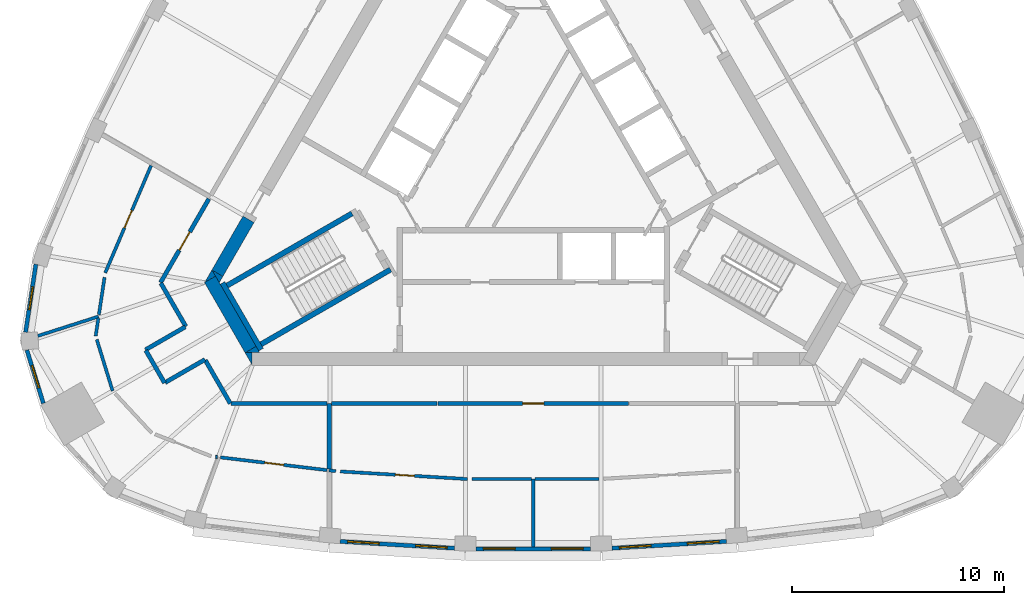
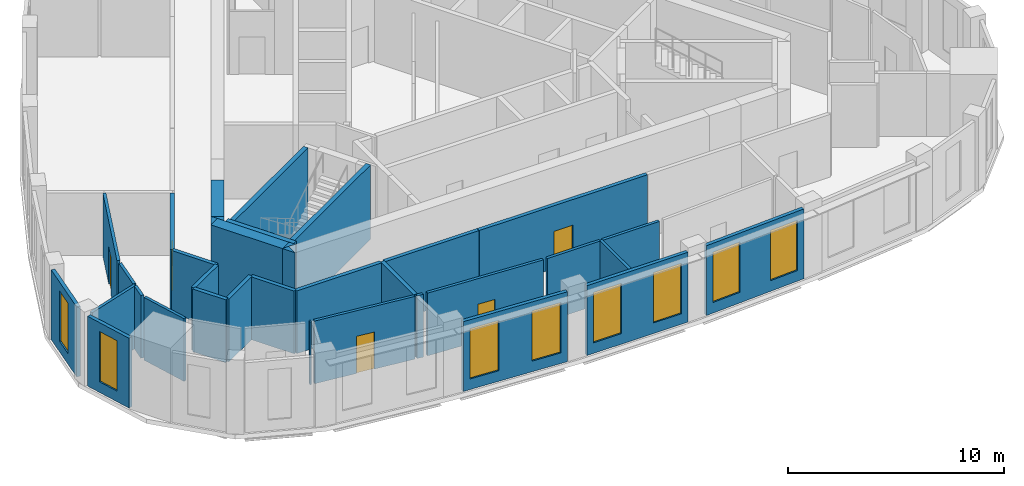
# One storey, part 3 of 10: 36 walls, 8 windows, 5 doors, 13 openings.
"""IFC4 building model written with IfcOpenShell, lengths in metres."""

from ifc_helpers import new_model, si_unit, direction, frame, frame_2d, origin, place, context, subcontext, project, spatial, polyline, rectangle, outline, extrude, material, layer, layer_set, type_object, element, fill, save


model = new_model("IFC4")

# Units and contexts
model_context = context("Model", 3, precision=1e-05, world=origin(), true_north=direction((0.0, 1.0)))
body_context = subcontext(model_context, "Body", "Model", "MODEL_VIEW")
ifc_project = project(units=[si_unit("LENGTHUNIT", "METRE"), si_unit("AREAUNIT", "SQUARE_METRE"), si_unit("VOLUMEUNIT", "CUBIC_METRE"), si_unit("PLANEANGLEUNIT", "RADIAN"), si_unit("MASSUNIT", "GRAM", prefix="KILO")], contexts=[model_context])

# Site, building, storey
site_placement = place(None, origin())
site = spatial("IfcSite", under=ifc_project, at=site_placement, CompositionType="ELEMENT")
building_placement = place(site_placement, origin())
building = spatial("IfcBuilding", under=site, at=building_placement, Name="Mestral Congress Tower", CompositionType="ELEMENT")
storey_placement = place(building_placement, frame((0.0, 0.0, 304.800048828125)))
storey = spatial("IfcBuildingStorey", under=building, at=storey_placement, Name="L71", CompositionType="ELEMENT", Elevation=304.800048828125)

# Walls
ifc_material_1 = material(Name="Concrete C60/75", Category="concrete")
ifc_layer_1 = layer(ifc_material_1, 0.60009765625)
ifc_layer_set_1 = layer_set([ifc_layer_1], Name="Concrete C60/75")
wall_type_1 = type_object("IfcWallType", Name="Core wall RC 600", PredefinedType="SOLIDWALL", material=ifc_layer_set_1)
placement = place(storey_placement, origin())
element("IfcWall", 1, at=placement, inside=storey, type_object=wall_type_1, Name="L71 core wall", PredefinedType="SOLIDWALL", context=body_context, shape_type="SweptSolid", body=[
    extrude(outline(polyline([(-13.5966796875, -9.64990234375), (-13.258544921875, -9.64990234375), (-13.258544921875, -10.235595703125), (-13.5966796875, -9.64990234375)])), origin(), (0.0, 0.0, 1.0), 4.199951171875),
])
wall_2_placement = place(storey_placement, frame((-13.33349609375, -9.505615234375, 0.0), z_axis=(0.0, 0.0, 1.0), x_axis=(-0.500019073792, 0.866014391245, 0.0)))
element("IfcWall", 2, at=wall_2_placement, inside=storey, type_object=wall_type_1, Name="L71 core wall", PredefinedType="SOLIDWALL", context=body_context, shape_type="SweptSolid", body=[
    extrude(rectangle(XDim=3.823486328125, YDim=0.60009765625, at=frame_2d((1.91162109375, 0.0))), origin(), (0.0, 0.0, 1.0), 4.199951171875),
])
element("IfcWall", 3, at=placement, inside=storey, type_object=wall_type_1, Name="L71 core wall", PredefinedType="SOLIDWALL", context=body_context, shape_type="SweptSolid", body=[
    extrude(outline(polyline([(-14.986572265625, -6.042724609375), (-15.493408203125, -6.33544921875), (-15.155517578125, -5.75), (-14.986572265625, -6.042724609375)])), origin(), (0.0, 0.0, 1.0), 4.199951171875),
])
element("IfcWall", 4, at=placement, inside=storey, type_object=wall_type_1, Name="L71 core wall", PredefinedType="SOLIDWALL", context=body_context, shape_type="SweptSolid", body=[
    extrude(outline(polyline([(-12.90380859375, -9.64990234375), (-13.579833984375, -9.64990234375), (-13.07275390625, -9.357421875), (-12.90380859375, -9.64990234375)])), origin(), (0.0, 0.0, 1.0), 4.199951171875),
])
wall_5_placement = place(storey_placement, frame((-13.431640625, -3.3642578125, 0.0), z_axis=(0.0, 0.0, 1.0), x_axis=(-0.499960127962, -0.866048422692, 0.0)))
element("IfcWall", 5, at=wall_5_placement, inside=storey, type_object=wall_type_1, Name="L71 core wall", PredefinedType="SOLIDWALL", context=body_context, shape_type="SweptSolid", body=[
    extrude(rectangle(XDim=2.934326171875, YDim=0.60009765625, at=frame_2d((1.46728515625, 0.0))), origin(), (0.0, 0.0, 1.0), 4.199951171875),
])
element("IfcWall", 6, at=placement, inside=storey, type_object=wall_type_1, Name="L71 core wall", PredefinedType="SOLIDWALL", context=body_context, shape_type="SweptSolid", body=[
    extrude(outline(polyline([(-14.80908203125, -6.35009765625), (-15.147216796875, -5.764404296875), (-14.639892578125, -6.057373046875), (-14.80908203125, -6.35009765625)])), origin(), (0.0, 0.0, 1.0), 4.199951171875),
])

# Wall, openings, windows
ifc_material_2 = material(Name="Precast concrete C40/50 with limestone facing", Category="masonry")
ifc_layer_2 = layer(ifc_material_2, 0.18994140625)
ifc_layer_set_2 = layer_set([ifc_layer_2], Name="Precast concrete C40/50 with limestone facing")
wall_type_2 = type_object("IfcWallType", Name="Facade stone wall 190", PredefinedType="SOLIDWALL", material=ifc_layer_set_2)
wall_7_placement = place(storey_placement, frame((-9.106689453125, -18.557861328125, 0.0), z_axis=(0.0, 0.0, 1.0), x_axis=(0.998221492823, -0.059614186786, 0.0)))
wall_7 = element("IfcWall", 7, at=wall_7_placement, inside=storey, type_object=wall_type_2, Name="Facade wall F0-01", PredefinedType="SOLIDWALL", context=body_context, shape_type="SweptSolid", body=[
    extrude(rectangle(XDim=5.40576171875, YDim=0.18994140625, at=frame_2d((2.702880859375, 0.0))), origin(), (0.0, 0.0, 1.0), 3.949951171875),
])
opening_1_placement = place(wall_7_placement, frame((0.346435546875, 0.0, 0.60009765625)))
opening_1 = element("IfcOpeningElement", 8, at=opening_1_placement, cuts=wall_7, Name="Opening W6", PredefinedType="OPENING", context=body_context, shape_type="SweptSolid", body=[
    extrude(rectangle(XDim=1.5, YDim=2.85009765625, at=frame_2d((0.75, 1.425048828125))), frame((0.0, 0.10498046875, 0.0), z_axis=(0.0, -1.0, 0.0), x_axis=(1.0, 0.0, 0.0)), (0.0, 0.0, 1.0), 0.2099609375),
])
opening_2_placement = place(wall_7_placement, frame((3.559326171875, 0.0, 0.60009765625)))
opening_2 = element("IfcOpeningElement", 9, at=opening_2_placement, cuts=wall_7, Name="Opening W6", PredefinedType="OPENING", context=body_context, shape_type="SweptSolid", body=[
    extrude(rectangle(XDim=1.5, YDim=2.85009765625, at=frame_2d((0.75, 1.425048828125))), frame((0.0, 0.10498046875, 0.0), z_axis=(0.0, -1.0, 0.0), x_axis=(1.0, 0.0, 0.0)), (0.0, 0.0, 1.0), 0.2099609375),
])
ifc_material_3 = material(Name="Clear low-emissivity double glazing", Category="glass")
window_type_1 = type_object("IfcWindowType", Name="Facade punched window 1500 x 2850 sill 600", PartitioningType="SINGLE_PANEL", PredefinedType="WINDOW", material=ifc_material_3)
window_1_placement = place(opening_1_placement, origin())
window_1 = element("IfcWindow", 10, at=window_1_placement, inside=storey, type_object=window_type_1, Name="Window F0-01a", OverallHeight=2.85009765625, OverallWidth=1.5, PartitioningType="SINGLE_PANEL", PredefinedType="WINDOW", context=body_context, shape_type="SweptSolid", body=[
    extrude(rectangle(XDim=1.5, YDim=2.85009765625, at=frame_2d((0.75, 1.425048828125))), frame((0.0, 0.044921875, 0.0), z_axis=(0.0, -1.0, 0.0), x_axis=(1.0, 0.0, 0.0)), (0.0, 0.0, 1.0), 0.06005859375),
])
fill(opening_1, window_1)
window_2_placement = place(opening_2_placement, origin())
window_2 = element("IfcWindow", 11, at=window_2_placement, inside=storey, type_object=window_type_1, Name="Window F0-01b", OverallHeight=2.85009765625, OverallWidth=1.5, PartitioningType="SINGLE_PANEL", PredefinedType="WINDOW", context=body_context, shape_type="SweptSolid", body=[
    extrude(rectangle(XDim=1.5, YDim=2.85009765625, at=frame_2d((0.75, 1.425048828125))), frame((0.0, 0.044921875, 0.0), z_axis=(0.0, -1.0, 0.0), x_axis=(1.0, 0.0, 0.0)), (0.0, 0.0, 1.0), 0.06005859375),
])
fill(opening_2, window_2)

wall_8_placement = place(storey_placement, frame((-2.702880859375, -18.91015625, 0.0), z_axis=(0.0, 0.0, 1.0), x_axis=(1.0, 0.0, 0.0)))
wall_8 = element("IfcWall", 12, at=wall_8_placement, inside=storey, type_object=wall_type_2, Name="Facade wall F0-02", PredefinedType="SOLIDWALL", context=body_context, shape_type="SweptSolid", body=[
    extrude(rectangle(XDim=5.40576171875, YDim=0.18994140625, at=frame_2d((2.702880859375, 0.0))), origin(), (0.0, 0.0, 1.0), 3.949951171875),
])
opening_3_placement = place(wall_8_placement, frame((0.346435546875, 0.0, 0.60009765625)))
opening_3 = element("IfcOpeningElement", 13, at=opening_3_placement, cuts=wall_8, Name="Opening W6", PredefinedType="OPENING", context=body_context, shape_type="SweptSolid", body=[
    extrude(rectangle(XDim=1.5, YDim=2.85009765625, at=frame_2d((0.75, 1.425048828125))), frame((0.0, 0.10498046875, 0.0), z_axis=(0.0, -1.0, 0.0), x_axis=(1.0, 0.0, 0.0)), (0.0, 0.0, 1.0), 0.2099609375),
])
opening_4_placement = place(wall_8_placement, frame((3.5595703125, 0.0, 0.60009765625)))
opening_4 = element("IfcOpeningElement", 14, at=opening_4_placement, cuts=wall_8, Name="Opening W6", PredefinedType="OPENING", context=body_context, shape_type="SweptSolid", body=[
    extrude(rectangle(XDim=1.5, YDim=2.85009765625, at=frame_2d((0.75, 1.425048828125))), frame((0.0, 0.10498046875, 0.0), z_axis=(0.0, -1.0, 0.0), x_axis=(1.0, 0.0, 0.0)), (0.0, 0.0, 1.0), 0.2099609375),
])
window_3_placement = place(opening_3_placement, origin())
window_3 = element("IfcWindow", 15, at=window_3_placement, inside=storey, type_object=window_type_1, Name="Window F0-02a", OverallHeight=2.85009765625, OverallWidth=1.5, PartitioningType="SINGLE_PANEL", PredefinedType="WINDOW", context=body_context, shape_type="SweptSolid", body=[
    extrude(rectangle(XDim=1.5, YDim=2.85009765625, at=frame_2d((0.75, 1.425048828125))), frame((0.0, 0.044921875, 0.0), z_axis=(0.0, -1.0, 0.0), x_axis=(1.0, 0.0, 0.0)), (0.0, 0.0, 1.0), 0.06005859375),
])
fill(opening_3, window_3)
window_4_placement = place(opening_4_placement, origin())
window_4 = element("IfcWindow", 16, at=window_4_placement, inside=storey, type_object=window_type_1, Name="Window F0-02b", OverallHeight=2.85009765625, OverallWidth=1.5, PartitioningType="SINGLE_PANEL", PredefinedType="WINDOW", context=body_context, shape_type="SweptSolid", body=[
    extrude(rectangle(XDim=1.5, YDim=2.85009765625, at=frame_2d((0.75, 1.425048828125))), frame((0.0, 0.044921875, 0.0), z_axis=(0.0, -1.0, 0.0), x_axis=(1.0, 0.0, 0.0)), (0.0, 0.0, 1.0), 0.06005859375),
])
fill(opening_4, window_4)

wall_9_placement = place(storey_placement, frame((3.71044921875, -18.880126953125, 0.0), z_axis=(0.0, 0.0, 1.0), x_axis=(0.998221492823, 0.059614186786, 0.0)))
wall_9 = element("IfcWall", 17, at=wall_9_placement, inside=storey, type_object=wall_type_2, Name="Facade wall F0-03", PredefinedType="SOLIDWALL", context=body_context, shape_type="SweptSolid", body=[
    extrude(rectangle(XDim=5.40576171875, YDim=0.18994140625, at=frame_2d((2.702880859375, 0.0))), origin(), (0.0, 0.0, 1.0), 3.949951171875),
])
opening_5_placement = place(wall_9_placement, frame((0.346435546875, 0.0, 0.60009765625)))
opening_5 = element("IfcOpeningElement", 18, at=opening_5_placement, cuts=wall_9, Name="Opening W6", PredefinedType="OPENING", context=body_context, shape_type="SweptSolid", body=[
    extrude(rectangle(XDim=1.5, YDim=2.85009765625, at=frame_2d((0.75, 1.425048828125))), frame((0.0, 0.10498046875, 0.0), z_axis=(0.0, -1.0, 0.0), x_axis=(1.0, 0.0, 0.0)), (0.0, 0.0, 1.0), 0.2099609375),
])
opening_6_placement = place(wall_9_placement, frame((3.559326171875, 0.0, 0.60009765625)))
opening_6 = element("IfcOpeningElement", 19, at=opening_6_placement, cuts=wall_9, Name="Opening W6", PredefinedType="OPENING", context=body_context, shape_type="SweptSolid", body=[
    extrude(rectangle(XDim=1.5, YDim=2.85009765625, at=frame_2d((0.75, 1.425048828125))), frame((0.0, 0.10498046875, 0.0), z_axis=(0.0, -1.0, 0.0), x_axis=(1.0, 0.0, 0.0)), (0.0, 0.0, 1.0), 0.2099609375),
])
window_5_placement = place(opening_5_placement, origin())
window_5 = element("IfcWindow", 20, at=window_5_placement, inside=storey, type_object=window_type_1, Name="Window F0-03a", OverallHeight=2.85009765625, OverallWidth=1.5, PartitioningType="SINGLE_PANEL", PredefinedType="WINDOW", context=body_context, shape_type="SweptSolid", body=[
    extrude(rectangle(XDim=1.5, YDim=2.85009765625, at=frame_2d((0.75, 1.425048828125))), frame((0.0, 0.044921875, 0.0), z_axis=(0.0, -1.0, 0.0), x_axis=(1.0, 0.0, 0.0)), (0.0, 0.0, 1.0), 0.06005859375),
])
fill(opening_5, window_5)
window_6_placement = place(opening_6_placement, origin())
window_6 = element("IfcWindow", 21, at=window_6_placement, inside=storey, type_object=window_type_1, Name="Window F0-03b", OverallHeight=2.85009765625, OverallWidth=1.5, PartitioningType="SINGLE_PANEL", PredefinedType="WINDOW", context=body_context, shape_type="SweptSolid", body=[
    extrude(rectangle(XDim=1.5, YDim=2.85009765625, at=frame_2d((0.75, 1.425048828125))), frame((0.0, 0.044921875, 0.0), z_axis=(0.0, -1.0, 0.0), x_axis=(1.0, 0.0, 0.0)), (0.0, 0.0, 1.0), 0.06005859375),
])
fill(opening_6, window_6)

# Wall, opening, window
wall_10_placement = place(storey_placement, frame((-23.460205078125, -5.488037109375, 0.0), z_axis=(0.0, 0.0, 1.0), x_axis=(-0.149421055602, -0.988773658702, 0.0)))
wall_10 = element("IfcWall", 22, at=wall_10_placement, inside=storey, type_object=wall_type_2, Name="Facade wall K2-0", PredefinedType="SOLIDWALL", context=body_context, shape_type="SweptSolid", body=[
    extrude(rectangle(XDim=3.23681640625, YDim=0.18994140625, at=frame_2d((1.618408203125, 0.0))), origin(), (0.0, 0.0, 1.0), 3.949951171875),
])
opening_7_placement = place(wall_10_placement, frame((1.068359375, 0.0, 0.60009765625)))
opening_7 = element("IfcOpeningElement", 23, at=opening_7_placement, cuts=wall_10, Name="Opening W7", PredefinedType="OPENING", context=body_context, shape_type="SweptSolid", body=[
    extrude(rectangle(XDim=1.10009765625, YDim=2.85009765625, at=frame_2d((0.550048828125, 1.425048828125))), frame((0.0, 0.10498046875, 0.0), z_axis=(0.0, -1.0, 0.0), x_axis=(1.0, 0.0, 0.0)), (0.0, 0.0, 1.0), 0.2099609375),
])
window_type_2 = type_object("IfcWindowType", Name="Facade punched window 1100 x 2850 sill 600", PartitioningType="SINGLE_PANEL", PredefinedType="WINDOW", material=ifc_material_3)
window_7_placement = place(opening_7_placement, origin())
window_7 = element("IfcWindow", 24, at=window_7_placement, inside=storey, type_object=window_type_2, Name="Window K2-0", OverallHeight=2.85009765625, OverallWidth=1.10009765625, PartitioningType="SINGLE_PANEL", PredefinedType="WINDOW", context=body_context, shape_type="SweptSolid", body=[
    extrude(rectangle(XDim=1.10009765625, YDim=2.85009765625, at=frame_2d((0.550048828125, 1.425048828125))), frame((0.0, 0.044921875, 0.0), z_axis=(0.0, -1.0, 0.0), x_axis=(1.0, 0.0, 0.0)), (0.0, 0.0, 1.0), 0.06005859375),
])
fill(opening_7, window_7)

wall_11_placement = place(storey_placement, frame((-23.880615234375, -9.53515625, 0.0), z_axis=(0.0, 0.0, 1.0), x_axis=(0.294706210429, -0.9555879078, 0.0)))
wall_11 = element("IfcWall", 25, at=wall_11_placement, inside=storey, type_object=wall_type_2, Name="Facade wall K2-1", PredefinedType="SOLIDWALL", context=body_context, shape_type="SweptSolid", body=[
    extrude(rectangle(XDim=2.626953125, YDim=0.18994140625, at=frame_2d((1.3134765625, 0.0))), origin(), (0.0, 0.0, 1.0), 3.949951171875),
])
opening_8_placement = place(wall_11_placement, frame((0.763427734375, 0.0, 0.60009765625)))
opening_8 = element("IfcOpeningElement", 26, at=opening_8_placement, cuts=wall_11, Name="Opening W7", PredefinedType="OPENING", context=body_context, shape_type="SweptSolid", body=[
    extrude(rectangle(XDim=1.10009765625, YDim=2.85009765625, at=frame_2d((0.550048828125, 1.425048828125))), frame((0.0, 0.10498046875, 0.0), z_axis=(0.0, -1.0, 0.0), x_axis=(1.0, 0.0, 0.0)), (0.0, 0.0, 1.0), 0.2099609375),
])
window_8_placement = place(opening_8_placement, origin())
window_8 = element("IfcWindow", 27, at=window_8_placement, inside=storey, type_object=window_type_2, Name="Window K2-1", OverallHeight=2.85009765625, OverallWidth=1.10009765625, PartitioningType="SINGLE_PANEL", PredefinedType="WINDOW", context=body_context, shape_type="SweptSolid", body=[
    extrude(rectangle(XDim=1.10009765625, YDim=2.85009765625, at=frame_2d((0.550048828125, 1.425048828125))), frame((0.0, 0.044921875, 0.0), z_axis=(0.0, -1.0, 0.0), x_axis=(1.0, 0.0, 0.0)), (0.0, 0.0, 1.0), 0.06005859375),
])
fill(opening_8, window_8)

# Walls
ifc_material_4 = material(Name="Plasterboard partition on steel studs", Category="steel")
ifc_layer_3 = layer(ifc_material_4, 0.14990234375)
ifc_layer_set_3 = layer_set([ifc_layer_3], Name="Plasterboard partition on steel studs")
wall_type_3 = type_object("IfcWallType", Name="Office partition 150", PredefinedType="PARTITIONING", material=ifc_layer_set_3)
wall_12_placement = place(storey_placement, frame((0.0, -15.615234375, 0.0), z_axis=(0.0, 0.0, 1.0), x_axis=(0.0, -1.0, 0.0)))
element("IfcWall", 28, at=wall_12_placement, inside=storey, type_object=wall_type_3, Name="Partition", PredefinedType="PARTITIONING", context=body_context, shape_type="SweptSolid", body=[
    extrude(rectangle(XDim=3.199951171875, YDim=0.14990234375, at=frame_2d((1.60009765625, 0.0))), origin(), (0.0, 0.0, 1.0), 3.550048828125),
])
wall_13_placement = place(storey_placement, frame((-9.62744140625, -15.20703125, 0.0), z_axis=(0.0, 0.0, 1.0), x_axis=(0.992909886905, -0.118869493503, 0.0)))
element("IfcWall", 29, at=wall_13_placement, inside=storey, type_object=wall_type_3, Name="Partition", PredefinedType="PARTITIONING", context=body_context, shape_type="SweptSolid", body=[
    extrude(rectangle(XDim=0.314208984375, YDim=0.14990234375, at=frame_2d((0.1572265625, 0.0))), origin(), (0.0, 0.0, 1.0), 3.550048828125),
])

# Wall, opening, door
wall_14_placement = place(storey_placement, frame((-3.10888671875, -15.615234375, 0.0), z_axis=(0.0, 0.0, 1.0), x_axis=(-0.998221243398, 0.059618363188, 0.0)))
wall_14 = element("IfcWall", 30, at=wall_14_placement, inside=storey, type_object=wall_type_3, Name="Partition", PredefinedType="PARTITIONING", context=body_context, shape_type="SweptSolid", body=[
    extrude(rectangle(XDim=6.00341796875, YDim=0.14990234375, at=frame_2d((3.001708984375, 0.0))), origin(), (0.0, 0.0, 1.0), 3.550048828125),
])
opening_9_placement = place(wall_14_placement, frame((2.50341796875, 0.0, 0.0)))
opening_9 = element("IfcOpeningElement", 31, at=opening_9_placement, cuts=wall_14, Name="Opening O14-001", PredefinedType="OPENING", context=body_context, shape_type="SweptSolid", body=[
    extrude(rectangle(XDim=0.89990234375, YDim=2.10009765625, at=frame_2d((0.449951171875, 1.050048828125))), frame((0.0, 0.0849609375, 0.0), z_axis=(0.0, -1.0, 0.0), x_axis=(1.0, 0.0, 0.0)), (0.0, 0.0, 1.0), 0.169921875),
])
ifc_material_5 = material(Name="Timber door set", Category="wood")
door_type_1 = type_object("IfcDoorType", Name="Office door 900x2100", OperationType="SINGLE_SWING_LEFT", PredefinedType="DOOR", material=ifc_material_5)
door_1_placement = place(opening_9_placement, origin())
door_1 = element("IfcDoor", 32, at=door_1_placement, inside=storey, type_object=door_type_1, Name="Door O14-001", OperationType="SINGLE_SWING_LEFT", OverallHeight=2.10009765625, OverallWidth=0.89990234375, PredefinedType="DOOR", context=body_context, shape_type="SweptSolid", body=[
    extrude(rectangle(XDim=0.89990234375, YDim=2.10009765625, at=frame_2d((0.449951171875, 1.050048828125))), frame((0.0, 0.02490234375, 0.0), z_axis=(0.0, -1.0, 0.0), x_axis=(1.0, 0.0, 0.0)), (0.0, 0.0, 1.0), 0.050048828125),
])
fill(opening_9, door_1)

# Walls
wall_15_placement = place(storey_placement, frame((-2.89453125, -15.615234375, 0.0), z_axis=(0.0, 0.0, 1.0), x_axis=(1.0, 0.0, 0.0)))
element("IfcWall", 33, at=wall_15_placement, inside=storey, type_object=wall_type_3, Name="Partition", PredefinedType="PARTITIONING", context=body_context, shape_type="SweptSolid", body=[
    extrude(rectangle(XDim=2.819580078125, YDim=0.14990234375, at=frame_2d((1.40966796875, 0.0))), origin(), (0.0, 0.0, 1.0), 3.550048828125),
])
wall_16_placement = place(storey_placement, frame((0.074951171875, -15.615234375, 0.0), z_axis=(0.0, 0.0, 1.0), x_axis=(1.0, 0.0, 0.0)))
element("IfcWall", 34, at=wall_16_placement, inside=storey, type_object=wall_type_3, Name="Partition", PredefinedType="PARTITIONING", context=body_context, shape_type="SweptSolid", body=[
    extrude(rectangle(XDim=3.033935546875, YDim=0.14990234375, at=frame_2d((1.51708984375, 0.0))), origin(), (0.0, 0.0, 1.0), 3.550048828125),
])
wall_17_placement = place(storey_placement, frame((-20.49951171875, -7.947998046875, 0.0), z_axis=(0.0, 0.0, 1.0), x_axis=(-0.952499513035, -0.304540108471, 0.0)))
element("IfcWall", 35, at=wall_17_placement, inside=storey, type_object=wall_type_3, Name="Partition", PredefinedType="PARTITIONING", context=body_context, shape_type="SweptSolid", body=[
    extrude(rectangle(XDim=3.0078125, YDim=0.14990234375, at=frame_2d((1.50390625, 0.0))), origin(), (0.0, 0.0, 1.0), 3.550048828125),
])

# Wall, opening, door
wall_18_placement = place(storey_placement, frame((-20.188232421875, -5.8876953125, 0.0), z_axis=(0.0, 0.0, 1.0), x_axis=(0.393346486154, 0.919390309841, 0.0)))
wall_18 = element("IfcWall", 36, at=wall_18_placement, inside=storey, type_object=wall_type_3, Name="Partition", PredefinedType="PARTITIONING", context=body_context, shape_type="SweptSolid", body=[
    extrude(rectangle(XDim=5.5048828125, YDim=0.14990234375, at=frame_2d((2.75244140625, 0.0))), origin(), (0.0, 0.0, 1.0), 3.550048828125),
])
opening_10_placement = place(wall_18_placement, frame((2.3046875, 0.0, 0.0)))
opening_10 = element("IfcOpeningElement", 37, at=opening_10_placement, cuts=wall_18, Name="Opening O14-015", PredefinedType="OPENING", context=body_context, shape_type="SweptSolid", body=[
    extrude(rectangle(XDim=0.89990234375, YDim=2.10009765625, at=frame_2d((0.449951171875, 1.050048828125))), frame((0.0, 0.0849609375, 0.0), z_axis=(0.0, -1.0, 0.0), x_axis=(1.0, 0.0, 0.0)), (0.0, 0.0, 1.0), 0.169921875),
])
door_2_placement = place(opening_10_placement, origin())
door_2 = element("IfcDoor", 38, at=door_2_placement, inside=storey, type_object=door_type_1, Name="Door O14-015", OperationType="SINGLE_SWING_RIGHT", OverallHeight=2.10009765625, OverallWidth=0.89990234375, PredefinedType="DOOR", context=body_context, shape_type="SweptSolid", body=[
    extrude(rectangle(XDim=0.89990234375, YDim=2.10009765625, at=frame_2d((0.449951171875, 1.050048828125))), frame((0.0, 0.02490234375, 0.0), z_axis=(0.0, -1.0, 0.0), x_axis=(1.0, 0.0, 0.0)), (0.0, 0.0, 1.0), 0.050048828125),
])
fill(opening_10, door_2)

# Walls
wall_19_placement = place(storey_placement, frame((-20.22021484375, -6.099365234375, 0.0), z_axis=(0.0, 0.0, 1.0), x_axis=(-0.14941661042, -0.988774330437, 0.0)))
element("IfcWall", 39, at=wall_19_placement, inside=storey, type_object=wall_type_3, Name="Partition", PredefinedType="PARTITIONING", context=body_context, shape_type="SweptSolid", body=[
    extrude(rectangle(XDim=1.785888671875, YDim=0.14990234375, at=frame_2d((0.89306640625, 0.0))), origin(), (0.0, 0.0, 1.0), 3.550048828125),
])
wall_20_placement = place(storey_placement, frame((-20.511962890625, -8.03076171875, 0.0), z_axis=(0.0, 0.0, 1.0), x_axis=(-0.149497595499, -0.98876208915, 0.0)))
element("IfcWall", 40, at=wall_20_placement, inside=storey, type_object=wall_type_3, Name="Partition", PredefinedType="PARTITIONING", context=body_context, shape_type="SweptSolid", body=[
    extrude(rectangle(XDim=0.845947265625, YDim=0.14990234375, at=frame_2d((0.4228515625, 0.0))), origin(), (0.0, 0.0, 1.0), 3.550048828125),
])
wall_21_placement = place(storey_placement, frame((-20.58740234375, -9.0322265625, 0.0), z_axis=(0.0, 0.0, 1.0), x_axis=(0.294593354479, -0.95562270562, 0.0)))
element("IfcWall", 41, at=wall_21_placement, inside=storey, type_object=wall_type_3, Name="Partition", PredefinedType="PARTITIONING", context=body_context, shape_type="SweptSolid", body=[
    extrude(rectangle(XDim=2.53515625, YDim=0.14990234375, at=frame_2d((1.267578125, 0.0))), origin(), (0.0, 0.0, 1.0), 3.550048828125),
])
wall_22_placement = place(storey_placement, frame((-14.97998046875, -14.565185546875, 0.0), z_axis=(0.0, 0.0, 1.0), x_axis=(0.992847073299, -0.119393002485, 0.0)))
element("IfcWall", 42, at=wall_22_placement, inside=storey, type_object=wall_type_3, Name="Partition", PredefinedType="PARTITIONING", context=body_context, shape_type="SweptSolid", body=[
    extrude(rectangle(XDim=0.07763671875, YDim=0.14990234375, at=frame_2d((0.038818359375, 0.0))), origin(), (0.0, 0.0, 1.0), 3.550048828125),
])

# Wall, opening, door
wall_23_placement = place(storey_placement, frame((-9.727294921875, -15.195068359375, 0.0), z_axis=(0.0, 0.0, 1.0), x_axis=(-0.992892587246, 0.119013907556, 0.0)))
wall_23 = element("IfcWall", 43, at=wall_23_placement, inside=storey, type_object=wall_type_3, Name="Partition", PredefinedType="PARTITIONING", context=body_context, shape_type="SweptSolid", body=[
    extrude(rectangle(XDim=5.05859375, YDim=0.14990234375, at=frame_2d((2.529296875, 0.0))), origin(), (0.0, 0.0, 1.0), 3.550048828125),
])
opening_11_placement = place(wall_23_placement, frame((2.05859375, 0.0, 0.0)))
opening_11 = element("IfcOpeningElement", 44, at=opening_11_placement, cuts=wall_23, Name="Opening O14-017", PredefinedType="OPENING", context=body_context, shape_type="SweptSolid", body=[
    extrude(rectangle(XDim=0.89990234375, YDim=2.10009765625, at=frame_2d((0.449951171875, 1.050048828125))), frame((0.0, 0.0849609375, 0.0), z_axis=(0.0, -1.0, 0.0), x_axis=(1.0, 0.0, 0.0)), (0.0, 0.0, 1.0), 0.169921875),
])
door_3_placement = place(opening_11_placement, origin())
door_3 = element("IfcDoor", 45, at=door_3_placement, inside=storey, type_object=door_type_1, Name="Door O14-017", OperationType="SINGLE_SWING_LEFT", OverallHeight=2.10009765625, OverallWidth=0.89990234375, PredefinedType="DOOR", context=body_context, shape_type="SweptSolid", body=[
    extrude(rectangle(XDim=0.89990234375, YDim=2.10009765625, at=frame_2d((0.449951171875, 1.050048828125))), frame((0.0, 0.02490234375, 0.0), z_axis=(0.0, -1.0, 0.0), x_axis=(1.0, 0.0, 0.0)), (0.0, 0.0, 1.0), 0.050048828125),
])
fill(opening_11, door_3)

# Wall
ifc_material_6 = material(Name="Dense masonry wall, plastered", Category="masonry")
ifc_layer_4 = layer(ifc_material_6, 0.199951171875)
ifc_layer_set_4 = layer_set([ifc_layer_4], Name="Dense masonry wall, plastered")
wall_type_4 = type_object("IfcWallType", Name="Office tenancy wall 200", PredefinedType="PARTITIONING", material=ifc_layer_set_4)
wall_24_placement = place(storey_placement, frame((-9.62744140625, -15.131591796875, 0.0), z_axis=(0.0, 0.0, 1.0), x_axis=(0.0, 1.0, 0.0)))
element("IfcWall", 46, at=wall_24_placement, inside=storey, type_object=wall_type_4, Name="Tenancy wall", PredefinedType="PARTITIONING", context=body_context, shape_type="SweptSolid", body=[
    extrude(rectangle(XDim=3.08154296875, YDim=0.199951171875, at=frame_2d((1.540771484375, 0.0))), origin(), (0.0, 0.0, 1.0), 3.550048828125),
])

# Wall, opening, door
wall_25_placement = place(storey_placement, frame((-4.5, -12.050048828125, 0.0), z_axis=(0.0, 0.0, 1.0), x_axis=(1.0, 0.0, 0.0)))
wall_25 = element("IfcWall", 47, at=wall_25_placement, inside=storey, type_object=wall_type_4, Name="Tenancy wall", PredefinedType="PARTITIONING", context=body_context, shape_type="SweptSolid", body=[
    extrude(rectangle(XDim=9.0, YDim=0.199951171875, at=frame_2d((4.5, 0.0))), origin(), (0.0, 0.0, 1.0), 3.550048828125),
])
opening_12_placement = place(wall_25_placement, frame((4.0, 0.0, 0.0)))
opening_12 = element("IfcOpeningElement", 48, at=opening_12_placement, cuts=wall_25, Name="Opening O14-003", PredefinedType="OPENING", context=body_context, shape_type="SweptSolid", body=[
    extrude(rectangle(XDim=1.0, YDim=2.10009765625, at=frame_2d((0.5, 1.050048828125))), frame((0.0, 0.10986328125, 0.0), z_axis=(0.0, -1.0, 0.0), x_axis=(1.0, 0.0, 0.0)), (0.0, 0.0, 1.0), 0.219970703125),
])
ifc_material_7 = material(Name="Fire-rated timber door set", Category="wood")
door_type_2 = type_object("IfcDoorType", Name="Office tenancy entrance door 1000x2100", OperationType="SINGLE_SWING_LEFT", PredefinedType="DOOR", material=ifc_material_7)
door_4_placement = place(opening_12_placement, origin())
door_4 = element("IfcDoor", 49, at=door_4_placement, inside=storey, type_object=door_type_2, Name="Door O14-003", OperationType="SINGLE_SWING_RIGHT", OverallHeight=2.10009765625, OverallWidth=1.0, PredefinedType="DOOR", context=body_context, shape_type="SweptSolid", body=[
    extrude(rectangle(XDim=1.0, YDim=2.10009765625, at=frame_2d((0.5, 1.050048828125))), frame((0.0, 0.02490234375, 0.0), z_axis=(0.0, -1.0, 0.0), x_axis=(1.0, 0.0, 0.0)), (0.0, 0.0, 1.0), 0.050048828125),
])
fill(opening_12, door_4)

# Wall
wall_26_placement = place(storey_placement, frame((-9.52734375, -12.050048828125, 0.0), z_axis=(0.0, 0.0, 1.0), x_axis=(1.0, 0.0, 0.0)))
element("IfcWall", 50, at=wall_26_placement, inside=storey, type_object=wall_type_4, Name="Tenancy wall", PredefinedType="PARTITIONING", context=body_context, shape_type="SweptSolid", body=[
    extrude(rectangle(XDim=4.997314453125, YDim=0.199951171875, at=frame_2d((2.49853515625, 0.0))), origin(), (0.0, 0.0, 1.0), 3.550048828125),
])

# Wall, opening, door
wall_27_placement = place(storey_placement, frame((-15.29931640625, -2.399169921875, 0.0), z_axis=(0.0, 0.0, 1.0), x_axis=(-0.49998958839, -0.866031414847, 0.0)))
wall_27 = element("IfcWall", 51, at=wall_27_placement, inside=storey, type_object=wall_type_4, Name="Tenancy wall", PredefinedType="PARTITIONING", context=body_context, shape_type="SweptSolid", body=[
    extrude(rectangle(XDim=4.56201171875, YDim=0.199951171875, at=frame_2d((2.281005859375, 0.0))), origin(), (0.0, 0.0, 1.0), 3.550048828125),
])
opening_13_placement = place(wall_27_placement, frame((1.800048828125, 0.0, 0.0)))
opening_13 = element("IfcOpeningElement", 52, at=opening_13_placement, cuts=wall_27, Name="Opening O14-018", PredefinedType="OPENING", context=body_context, shape_type="SweptSolid", body=[
    extrude(rectangle(XDim=1.0, YDim=2.10009765625, at=frame_2d((0.5, 1.050048828125))), frame((0.0, 0.10986328125, 0.0), z_axis=(0.0, -1.0, 0.0), x_axis=(1.0, 0.0, 0.0)), (0.0, 0.0, 1.0), 0.219970703125),
])
door_5_placement = place(opening_13_placement, origin())
door_5 = element("IfcDoor", 53, at=door_5_placement, inside=storey, type_object=door_type_2, Name="Door O14-018", OperationType="SINGLE_SWING_RIGHT", OverallHeight=2.10009765625, OverallWidth=1.0, PredefinedType="DOOR", context=body_context, shape_type="SweptSolid", body=[
    extrude(rectangle(XDim=1.0, YDim=2.10009765625, at=frame_2d((0.5, 1.050048828125))), frame((0.0, 0.02490234375, 0.0), z_axis=(0.0, -1.0, 0.0), x_axis=(1.0, 0.0, 0.0)), (0.0, 0.0, 1.0), 0.050048828125),
])
fill(opening_13, door_5)

# Walls
wall_28_placement = place(storey_placement, frame((-17.565185546875, -6.3759765625, 0.0), z_axis=(0.0, 0.0, 1.0), x_axis=(0.499898509274, -0.866083991554, 0.0)))
element("IfcWall", 54, at=wall_28_placement, inside=storey, type_object=wall_type_4, Name="Tenancy wall", PredefinedType="PARTITIONING", context=body_context, shape_type="SweptSolid", body=[
    extrude(rectangle(XDim=2.36083984375, YDim=0.199951171875, at=frame_2d((1.180419921875, 0.0))), origin(), (0.0, 0.0, 1.0), 3.550048828125),
])
wall_29_placement = place(storey_placement, frame((-16.410888671875, -8.435546875, 0.0), z_axis=(0.0, 0.0, 1.0), x_axis=(-0.866018827591, -0.500011390128, 0.0)))
element("IfcWall", 55, at=wall_29_placement, inside=storey, type_object=wall_type_4, Name="Tenancy wall", PredefinedType="PARTITIONING", context=body_context, shape_type="SweptSolid", body=[
    extrude(rectangle(XDim=2.169921875, YDim=0.199951171875, at=frame_2d((1.0849609375, 0.0))), origin(), (0.0, 0.0, 1.0), 3.550048828125),
])
wall_30_placement = place(storey_placement, frame((-18.275146484375, -9.546630859375, 0.0), z_axis=(0.0, 0.0, 1.0), x_axis=(0.500040865889, -0.866001808567, 0.0)))
element("IfcWall", 56, at=wall_30_placement, inside=storey, type_object=wall_type_4, Name="Tenancy wall", PredefinedType="PARTITIONING", context=body_context, shape_type="SweptSolid", body=[
    extrude(rectangle(XDim=1.769775390625, YDim=0.199951171875, at=frame_2d((0.884765625, 0.0))), origin(), (0.0, 0.0, 1.0), 3.550048828125),
])
wall_31_placement = place(storey_placement, frame((-17.364013671875, -11.064453125, 0.0), z_axis=(0.0, 0.0, 1.0), x_axis=(0.866018827591, 0.500011390128, 0.0)))
element("IfcWall", 57, at=wall_31_placement, inside=storey, type_object=wall_type_4, Name="Tenancy wall", PredefinedType="PARTITIONING", context=body_context, shape_type="SweptSolid", body=[
    extrude(rectangle(XDim=2.169921875, YDim=0.199951171875, at=frame_2d((1.0849609375, 0.0))), origin(), (0.0, 0.0, 1.0), 3.550048828125),
])
wall_32_placement = place(storey_placement, frame((-15.469970703125, -10.00537109375, 0.0), z_axis=(0.0, 0.0, 1.0), x_axis=(0.500053625724, -0.865994440744, 0.0)))
element("IfcWall", 58, at=wall_32_placement, inside=storey, type_object=wall_type_4, Name="Tenancy wall", PredefinedType="PARTITIONING", context=body_context, shape_type="SweptSolid", body=[
    extrude(rectangle(XDim=2.361083984375, YDim=0.199951171875, at=frame_2d((1.1806640625, 0.0))), origin(), (0.0, 0.0, 1.0), 3.550048828125),
])
wall_33_placement = place(storey_placement, frame((-14.259521484375, -12.050048828125, 0.0), z_axis=(0.0, 0.0, 1.0), x_axis=(1.0, 0.0, 0.0)))
element("IfcWall", 59, at=wall_33_placement, inside=storey, type_object=wall_type_4, Name="Tenancy wall", PredefinedType="PARTITIONING", context=body_context, shape_type="SweptSolid", body=[
    extrude(rectangle(XDim=4.5322265625, YDim=0.199951171875, at=frame_2d((2.26611328125, 0.0))), origin(), (0.0, 0.0, 1.0), 3.550048828125),
])
ifc_layer_5 = layer(ifc_material_1, 0.25)
ifc_layer_set_5 = layer_set([ifc_layer_5], Name="Concrete C60/75")
wall_type_5 = type_object("IfcWallType", Name="Stair wall RC 250", PredefinedType="SOLIDWALL", material=ifc_layer_set_5)
wall_34_placement = place(storey_placement, frame((-12.839599609375, -9.510986328125, 0.0), z_axis=(0.0, 0.0, 1.0), x_axis=(-0.499997733992, 0.866026712061, 0.0)))
element("IfcWall", 60, at=wall_34_placement, inside=storey, type_object=wall_type_5, Name="L71 core wall", PredefinedType="SOLIDWALL", context=body_context, shape_type="SweptSolid", body=[
    extrude(rectangle(XDim=3.6337890625, YDim=0.25, at=frame_2d((1.81689453125, 0.0))), origin(), (0.0, 0.0, 1.0), 4.199951171875),
])
wall_35_placement = place(storey_placement, frame((-14.43994140625, -6.489501953125, 0.0), z_axis=(0.0, 0.0, 1.0), x_axis=(0.866022966069, 0.500004222222, 0.0)))
element("IfcWall", 61, at=wall_35_placement, inside=storey, type_object=wall_type_5, Name="L71 core wall", PredefinedType="SOLIDWALL", context=body_context, shape_type="SweptSolid", body=[
    extrude(rectangle(XDim=6.80029296875, YDim=0.25, at=frame_2d((3.400146484375, 0.0))), origin(), (0.0, 0.0, 1.0), 4.199951171875),
])
wall_36_placement = place(storey_placement, frame((-12.83984375, -9.2607421875, 0.0), z_axis=(0.0, 0.0, 1.0), x_axis=(0.866016039709, 0.500016218704, 0.0)))
element("IfcWall", 62, at=wall_36_placement, inside=storey, type_object=wall_type_5, Name="L71 core wall", PredefinedType="SOLIDWALL", context=body_context, shape_type="SweptSolid", body=[
    extrude(rectangle(XDim=7.050048828125, YDim=0.25, at=frame_2d((3.52490234375, 0.0))), origin(), (0.0, 0.0, 1.0), 4.199951171875),
])

save(model, "model.ifc")
